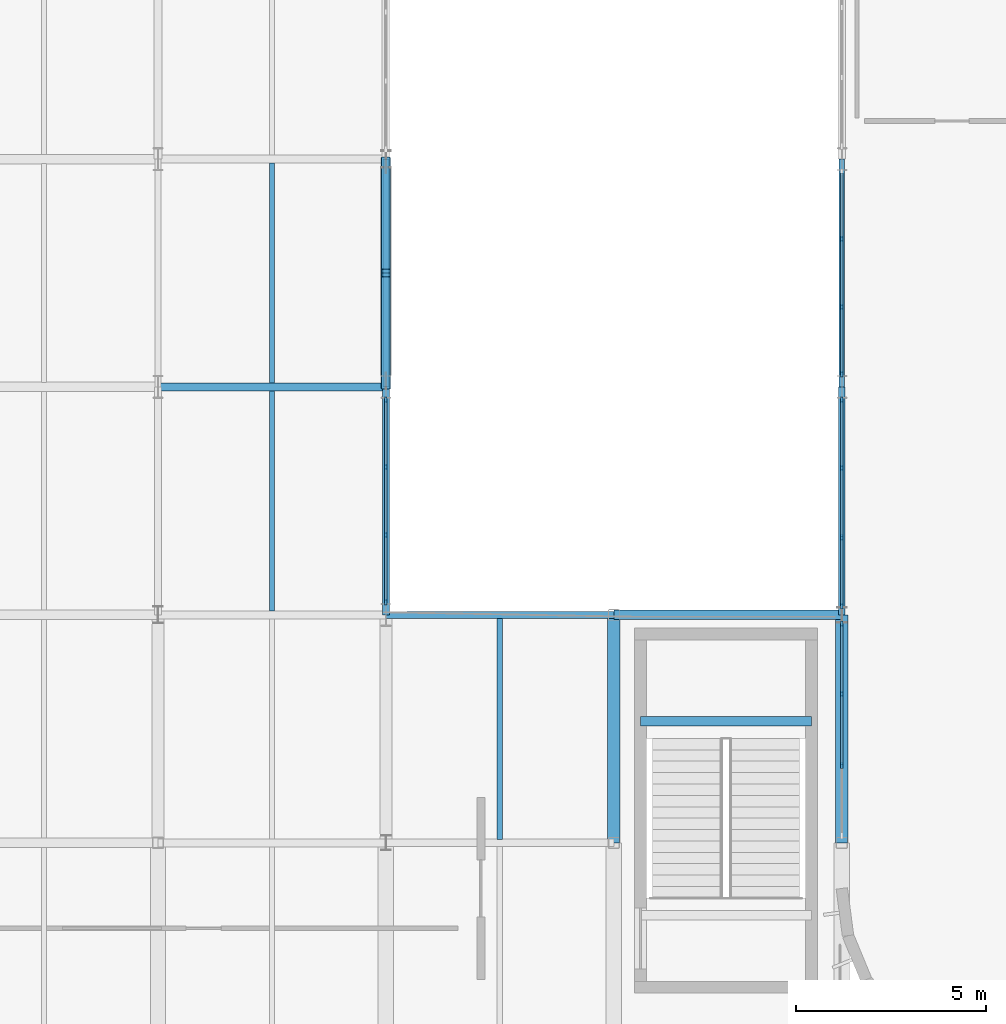
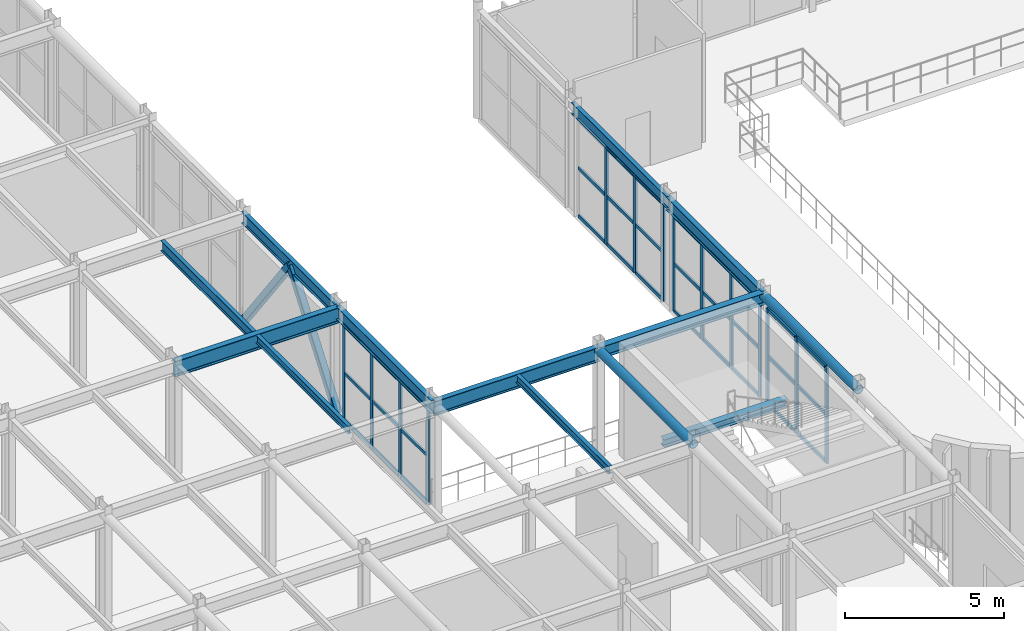
# One storey, part 27 of 96: 48 members, 13 beams, 4 elements without a shape of their own.
"""IFC4 building model written with IfcOpenShell, lengths in metres."""

from ifc_helpers import new_model, si_unit, direction, frame, origin, origin_2d, place, context, subcontext, project, spatial, rectangle, hollow_rectangle, hollow_circle, i_section, extrude, material, material_profile, profile_set, type_object, element, aggregate, save


model = new_model("IFC4")

# Units and contexts
model_context = context("Model", 3, precision=1e-05, world=origin(), true_north=direction((0.0, 1.0)))
body_context = subcontext(model_context, "Body", "Model", "MODEL_VIEW")
ifc_project = project(units=[si_unit("LENGTHUNIT", "METRE"), si_unit("AREAUNIT", "SQUARE_METRE"), si_unit("VOLUMEUNIT", "CUBIC_METRE"), si_unit("PLANEANGLEUNIT", "RADIAN"), si_unit("MASSUNIT", "GRAM", prefix="KILO")], contexts=[model_context])

# Site, building, storey
site_placement = place(None, origin())
site = spatial("IfcSite", under=ifc_project, at=site_placement, CompositionType="ELEMENT")
building_placement = place(site_placement, origin())
building = spatial("IfcBuilding", under=site, at=building_placement, Name="Varnakota Square Police Headquarters", CompositionType="ELEMENT")
storey_placement = place(building_placement, frame((0.0, 0.0, 4.800048828125)))
storey = spatial("IfcBuildingStorey", under=building, at=storey_placement, Name="L01", CompositionType="ELEMENT", Elevation=4.800048828125)

# Beams
ifc_material_1 = material(Name="Steel IS 2062 Grade 350", Category="steel")
ifc_material_profile_1 = material_profile(ifc_material_1, hollow_circle(Radius=0.161865234375, WallThickness=0.0126953125, at=origin_2d()), Name="CHS 323.9x12.7")
ifc_profile_set_1 = profile_set([ifc_material_profile_1], Name="Steel IS 2062 Grade 350")
beam_type_1 = type_object("IfcBeamType", Name="BM-ARC-CHS324", PredefinedType="BEAM", material=ifc_profile_set_1)
for number, where, z_axis, x_axis, name in (
    (1, (48.0, 15.0, 4.0380859375), (0.0, 1.0, 0.0), (-1.0, 0.0, 0.0), "BMG-L01-1629"),
    (2, (54.0, 15.0, 4.0380859375), (0.0, 1.0, 0.0), (-1.0, 0.0, 0.0), "BMG-L01-1635"),
):
    element("IfcBeam", number, at=place(storey_placement, frame(where, z_axis=z_axis, x_axis=x_axis)), inside=storey, type_object=beam_type_1, Name=name, PredefinedType="BEAM", context=body_context, shape_type="SweptSolid", body=[
        extrude(hollow_circle(Radius=0.161865234375, WallThickness=0.0126953125, at=origin_2d()), origin(), (0.0, 0.0, 1.0), 6.0),
    ])
ifc_material_profile_2 = material_profile(ifc_material_1, i_section(OverallWidth=0.25, OverallDepth=0.300048828125, WebThickness=0.009521484375, FlangeThickness=0.010498046875, FilletRadius=0.011962890625, at=origin_2d()), Name="ISHB 300")
ifc_profile_set_2 = profile_set([ifc_material_profile_2], Name="Steel IS 2062 Grade 350")
beam_type_2 = type_object("IfcBeamType", Name="BM-ISHB300", PredefinedType="BEAM", material=ifc_profile_set_2)
beam_1_placement = place(storey_placement, frame((48.699951171875, 18.20068359375, 1.94189453125), z_axis=(1.0, 0.0, 0.0), x_axis=(0.0, 1.0, 0.0)))
element("IfcBeam", 3, at=beam_1_placement, inside=storey, type_object=beam_type_2, Name="Stair landing support beam BM-LND-0105", PredefinedType="BEAM", context=body_context, shape_type="SweptSolid", body=[
    extrude(i_section(OverallWidth=0.25, OverallDepth=0.300048828125, WebThickness=0.009521484375, FlangeThickness=0.010498046875, FilletRadius=0.011962890625, at=origin_2d()), origin(), (0.0, 0.0, 1.0), 4.5),
])
ifc_material_profile_3 = material_profile(ifc_material_1, i_section(OverallWidth=0.25, OverallDepth=0.449951171875, WebThickness=0.01123046875, FlangeThickness=0.013671875, FilletRadius=0.014892578125, at=origin_2d()), Name="ISHB 450")
ifc_profile_set_3 = profile_set([ifc_material_profile_3], Name="Steel IS 2062 Grade 350")
beam_type_3 = type_object("IfcBeamType", Name="BM-ISHB450", PredefinedType="BEAM", material=ifc_profile_set_3)
beam_2_placement = place(storey_placement, frame((48.0, 21.0, 3.974853515625), z_axis=(1.0, 0.0, 0.0), x_axis=(0.0, 1.0, 0.0)))
element("IfcBeam", 4, at=beam_2_placement, inside=storey, type_object=beam_type_3, Name="BMG-L01-1359", PredefinedType="BEAM", context=body_context, shape_type="SweptSolid", body=[
    extrude(i_section(OverallWidth=0.25, OverallDepth=0.449951171875, WebThickness=0.01123046875, FlangeThickness=0.013671875, FilletRadius=0.014892578125, at=origin_2d()), origin(), (0.0, 0.0, 1.0), 6.0),
])
ifc_material_profile_4 = material_profile(ifc_material_1, i_section(OverallWidth=0.139892578125, OverallDepth=0.300048828125, WebThickness=0.0078125, FlangeThickness=0.01318359375, FilletRadius=0.013916015625, at=origin_2d()), Name="ISMB 300")
ifc_profile_set_4 = profile_set([ifc_material_profile_4], Name="Steel IS 2062 Grade 350")
beam_type_4 = type_object("IfcBeamType", Name="BM-ISMB300", PredefinedType="JOIST", material=ifc_profile_set_4)
beam_3_placement = place(storey_placement, frame((39.0, 21.10302734375, 4.050048828125), z_axis=(0.0, 1.0, 0.0), x_axis=(-1.0, 0.0, 0.0)))
element("IfcBeam", 5, at=beam_3_placement, inside=storey, type_object=beam_type_4, Name="BMG-L01-1826", PredefinedType="JOIST", context=body_context, shape_type="SweptSolid", body=[
    extrude(i_section(OverallWidth=0.139892578125, OverallDepth=0.300048828125, WebThickness=0.0078125, FlangeThickness=0.01318359375, FilletRadius=0.013916015625, at=origin_2d()), origin(), (0.0, 0.0, 1.0), 5.7939453125),
])
beam_4_placement = place(storey_placement, frame((45.0, 15.093017578125, 4.050048828125), z_axis=(0.0, 1.0, 0.0), x_axis=(-1.0, 0.0, 0.0)))
element("IfcBeam", 6, at=beam_4_placement, inside=storey, type_object=beam_type_4, Name="BMG-L01-1837", PredefinedType="JOIST", context=body_context, shape_type="SweptSolid", body=[
    extrude(i_section(OverallWidth=0.139892578125, OverallDepth=0.300048828125, WebThickness=0.0078125, FlangeThickness=0.01318359375, FilletRadius=0.013916015625, at=origin_2d()), origin(), (0.0, 0.0, 1.0), 5.81396484375),
])
ifc_material_profile_5 = material_profile(ifc_material_1, i_section(OverallWidth=0.139892578125, OverallDepth=0.39990234375, WebThickness=0.0087890625, FlangeThickness=0.01611328125, FilletRadius=0.013916015625, at=origin_2d()), Name="ISMB 400")
ifc_profile_set_5 = profile_set([ifc_material_profile_5], Name="Steel IS 2062 Grade 350")
beam_type_5 = type_object("IfcBeamType", Name="BM-ISMB400", PredefinedType="JOIST", material=ifc_profile_set_5)
beam_5_placement = place(storey_placement, frame((39.0, 27.10302734375, 4.0), z_axis=(0.0, 1.0, 0.0), x_axis=(-1.0, 0.0, 0.0)))
element("IfcBeam", 7, at=beam_5_placement, inside=storey, type_object=beam_type_5, Name="BMG-L01-1827", PredefinedType="JOIST", context=body_context, shape_type="SweptSolid", body=[
    extrude(i_section(OverallWidth=0.139892578125, OverallDepth=0.39990234375, WebThickness=0.0087890625, FlangeThickness=0.01611328125, FilletRadius=0.013916015625, at=origin_2d()), origin(), (0.0, 0.0, 1.0), 5.7939453125),
])
ifc_material_profile_6 = material_profile(ifc_material_1, i_section(OverallWidth=0.14990234375, OverallDepth=0.449951171875, WebThickness=0.009521484375, FlangeThickness=0.017333984375, FilletRadius=0.014892578125, at=origin_2d()), Name="ISMB 450")
ifc_profile_set_6 = profile_set([ifc_material_profile_6], Name="Steel IS 2062 Grade 350")
beam_type_6 = type_object("IfcBeamType", Name="BM-ISMB450", PredefinedType="BEAM", material=ifc_profile_set_6)
for number, where, z_axis, x_axis, name in (
    (8, (42.0, 27.0, 3.974853515625), (0.0, 1.0, 0.0), (-1.0, 0.0, 0.0), "BMG-L01-1617"),
    (9, (54.0, 27.0, 3.974853515625), (0.0, 1.0, 0.0), (-1.0, 0.0, 0.0), "BMG-L01-1637"),
):
    element("IfcBeam", number, at=place(storey_placement, frame(where, z_axis=z_axis, x_axis=x_axis)), inside=storey, type_object=beam_type_6, Name=name, PredefinedType="BEAM", context=body_context, shape_type="SweptSolid", body=[
        extrude(i_section(OverallWidth=0.14990234375, OverallDepth=0.449951171875, WebThickness=0.009521484375, FlangeThickness=0.017333984375, FilletRadius=0.014892578125, at=origin_2d()), origin(), (0.0, 0.0, 1.0), 6.0),
    ])
ifc_material_profile_7 = material_profile(ifc_material_1, i_section(OverallWidth=0.179931640625, OverallDepth=0.5, WebThickness=0.01025390625, FlangeThickness=0.01708984375, FilletRadius=0.01708984375, at=origin_2d()), Name="ISMB 500")
ifc_profile_set_7 = profile_set([ifc_material_profile_7], Name="Steel IS 2062 Grade 350")
beam_type_7 = type_object("IfcBeamType", Name="BM-ISMB500", PredefinedType="BEAM", material=ifc_profile_set_7)
for number, where, z_axis, x_axis, name in (
    (10, (42.0, 21.0, 3.949951171875), (0.0, 1.0, 0.0), (-1.0, 0.0, 0.0), "BMG-L01-1616"),
    (11, (54.0, 21.0, 3.949951171875), (0.0, 1.0, 0.0), (-1.0, 0.0, 0.0), "BMG-L01-1636"),
):
    element("IfcBeam", number, at=place(storey_placement, frame(where, z_axis=z_axis, x_axis=x_axis)), inside=storey, type_object=beam_type_7, Name=name, PredefinedType="BEAM", context=body_context, shape_type="SweptSolid", body=[
        extrude(i_section(OverallWidth=0.179931640625, OverallDepth=0.5, WebThickness=0.01025390625, FlangeThickness=0.01708984375, FilletRadius=0.01708984375, at=origin_2d()), origin(), (0.0, 0.0, 1.0), 6.0),
    ])
ifc_material_profile_8 = material_profile(ifc_material_1, i_section(OverallWidth=0.18994140625, OverallDepth=0.550048828125, WebThickness=0.01123046875, FlangeThickness=0.019287109375, FilletRadius=0.01806640625, at=origin_2d()), Name="ISMB 550")
ifc_profile_set_8 = profile_set([ifc_material_profile_8], Name="Steel IS 2062 Grade 350")
beam_type_8 = type_object("IfcBeamType", Name="BM-ISMB550", PredefinedType="BEAM", material=ifc_profile_set_8)
beam_6_placement = place(storey_placement, frame((42.0, 21.0, 3.925048828125), z_axis=(1.0, 0.0, 0.0), x_axis=(0.0, 1.0, 0.0)))
element("IfcBeam", 12, at=beam_6_placement, inside=storey, type_object=beam_type_8, Name="BMG-L01-1358", PredefinedType="BEAM", context=body_context, shape_type="SweptSolid", body=[
    extrude(i_section(OverallWidth=0.18994140625, OverallDepth=0.550048828125, WebThickness=0.01123046875, FlangeThickness=0.019287109375, FilletRadius=0.01806640625, at=origin_2d()), origin(), (0.0, 0.0, 1.0), 6.0),
])
ifc_material_profile_9 = material_profile(ifc_material_1, i_section(OverallWidth=0.2099609375, OverallDepth=0.60009765625, WebThickness=0.011962890625, FlangeThickness=0.020751953125, FilletRadius=0.02001953125, at=origin_2d()), Name="ISMB 600")
ifc_profile_set_9 = profile_set([ifc_material_profile_9], Name="Steel IS 2062 Grade 350")
beam_type_9 = type_object("IfcBeamType", Name="BM-ISMB600", PredefinedType="BEAM", material=ifc_profile_set_9)
beam_7_placement = place(storey_placement, frame((36.0, 27.0, 3.89990234375), z_axis=(1.0, 0.0, 0.0), x_axis=(0.0, 1.0, 0.0)))
element("IfcBeam", 13, at=beam_7_placement, inside=storey, type_object=beam_type_9, Name="BMG-L01-1370", PredefinedType="BEAM", context=body_context, shape_type="SweptSolid", body=[
    extrude(i_section(OverallWidth=0.2099609375, OverallDepth=0.60009765625, WebThickness=0.011962890625, FlangeThickness=0.020751953125, FilletRadius=0.02001953125, at=origin_2d()), origin(), (0.0, 0.0, 1.0), 6.0),
])

# Curtain wall, members
ifc_material_2 = material(Name="Anodised Aluminium Framing", Category="aluminium")
curtain_wall_type_1 = type_object("IfcCurtainWallType", Name="CW-SYS-B", PredefinedType="NOTDEFINED", material=ifc_material_2)
curtain_wall_1_placement = place(storey_placement, origin())
curtain_wall_1 = element("IfcCurtainWall", 14, at=curtain_wall_1_placement, inside=storey, type_object=curtain_wall_type_1, Name="Unitised curtain wall CWG-L01-028", PredefinedType="NOTDEFINED")
ifc_material_3 = material(Name="Anodised Aluminium 6063-T6", Category="aluminium")
ifc_material_profile_10 = material_profile(ifc_material_3, rectangle(XDim=0.06494140625, YDim=0.159912109375, at=origin_2d()), Name="ALU MULLION 65x160")
ifc_profile_set_10 = profile_set([ifc_material_profile_10], Name="Anodised Aluminium 6063-T6")
member_type_1 = type_object("IfcMemberType", Name="CWM-150", PredefinedType="MULLION", material=ifc_profile_set_10)
member_1_placement = place(storey_placement, frame((54.0, 17.034912109375, 0.0), z_axis=(0.0, 0.0, 1.0), x_axis=(-1.0, 0.0, 0.0)))
member_1 = element("IfcMember", 15, at=member_1_placement, type_object=member_type_1, Name="CWG-L01-028 mullion 2", PredefinedType="MULLION", context=body_context, shape_type="SweptSolid", body=[
    extrude(rectangle(XDim=0.06494140625, YDim=0.159912109375, at=origin_2d()), origin(), (0.0, 0.0, 1.0), 3.68994140625),
])
member_2_placement = place(storey_placement, frame((54.0, 18.9150390625, 0.0), z_axis=(0.0, 0.0, 1.0), x_axis=(-1.0, 0.0, 0.0)))
member_2 = element("IfcMember", 16, at=member_2_placement, type_object=member_type_1, Name="CWG-L01-028 mullion 3", PredefinedType="MULLION", context=body_context, shape_type="SweptSolid", body=[
    extrude(rectangle(XDim=0.06494140625, YDim=0.159912109375, at=origin_2d()), origin(), (0.0, 0.0, 1.0), 3.68994140625),
])
member_3_placement = place(storey_placement, frame((54.0, 20.762451171875, 0.0), z_axis=(0.0, 0.0, 1.0), x_axis=(-1.0, 0.0, 0.0)))
member_3 = element("IfcMember", 17, at=member_3_placement, type_object=member_type_1, Name="CWG-L01-028 mullion 4", PredefinedType="MULLION", context=body_context, shape_type="SweptSolid", body=[
    extrude(rectangle(XDim=0.06494140625, YDim=0.159912109375, at=origin_2d()), origin(), (0.0, 0.0, 1.0), 3.68994140625),
])

curtain_wall_2_placement = place(storey_placement, origin())
curtain_wall_2 = element("IfcCurtainWall", 18, at=curtain_wall_2_placement, inside=storey, type_object=curtain_wall_type_1, Name="Unitised curtain wall CWG-L01-029", PredefinedType="NOTDEFINED")
member_4_placement = place(storey_placement, frame((54.0, 21.237548828125, 0.0), z_axis=(0.0, 0.0, 1.0), x_axis=(-1.0, 0.0, 0.0)))
member_4 = element("IfcMember", 19, at=member_4_placement, type_object=member_type_1, Name="CWG-L01-029 mullion 1", PredefinedType="MULLION", context=body_context, shape_type="SweptSolid", body=[
    extrude(rectangle(XDim=0.06494140625, YDim=0.159912109375, at=origin_2d()), origin(), (0.0, 0.0, 1.0), 3.68994140625),
])
member_5_placement = place(storey_placement, frame((54.0, 23.034912109375, 0.0), z_axis=(0.0, 0.0, 1.0), x_axis=(-1.0, 0.0, 0.0)))
member_5 = element("IfcMember", 20, at=member_5_placement, type_object=member_type_1, Name="CWG-L01-029 mullion 2", PredefinedType="MULLION", context=body_context, shape_type="SweptSolid", body=[
    extrude(rectangle(XDim=0.06494140625, YDim=0.159912109375, at=origin_2d()), origin(), (0.0, 0.0, 1.0), 3.68994140625),
])
member_6_placement = place(storey_placement, frame((54.0, 24.864990234375, 0.0), z_axis=(0.0, 0.0, 1.0), x_axis=(-1.0, 0.0, 0.0)))
member_6 = element("IfcMember", 21, at=member_6_placement, type_object=member_type_1, Name="CWG-L01-029 mullion 3", PredefinedType="MULLION", context=body_context, shape_type="SweptSolid", body=[
    extrude(rectangle(XDim=0.06494140625, YDim=0.159912109375, at=origin_2d()), origin(), (0.0, 0.0, 1.0), 3.68994140625),
])
member_7_placement = place(storey_placement, frame((54.0, 26.66259765625, 0.0), z_axis=(0.0, 0.0, 1.0), x_axis=(-1.0, 0.0, 0.0)))
member_7 = element("IfcMember", 22, at=member_7_placement, type_object=member_type_1, Name="CWG-L01-029 mullion 4", PredefinedType="MULLION", context=body_context, shape_type="SweptSolid", body=[
    extrude(rectangle(XDim=0.06494140625, YDim=0.159912109375, at=origin_2d()), origin(), (0.0, 0.0, 1.0), 3.68994140625),
])

curtain_wall_3_placement = place(storey_placement, origin())
curtain_wall_3 = element("IfcCurtainWall", 23, at=curtain_wall_3_placement, inside=storey, type_object=curtain_wall_type_1, Name="Unitised curtain wall CWG-L01-031", PredefinedType="NOTDEFINED")
member_8_placement = place(storey_placement, frame((54.0, 27.33740234375, 0.0), z_axis=(0.0, 0.0, 1.0), x_axis=(-1.0, 0.0, 0.0)))
member_8 = element("IfcMember", 24, at=member_8_placement, type_object=member_type_1, Name="CWG-L01-031 mullion 1", PredefinedType="MULLION", context=body_context, shape_type="SweptSolid", body=[
    extrude(rectangle(XDim=0.06494140625, YDim=0.159912109375, at=origin_2d()), origin(), (0.0, 0.0, 1.0), 3.739990234375),
])
member_9_placement = place(storey_placement, frame((54.0, 29.1015625, 0.0), z_axis=(0.0, 0.0, 1.0), x_axis=(-1.0, 0.0, 0.0)))
member_9 = element("IfcMember", 25, at=member_9_placement, type_object=member_type_1, Name="CWG-L01-031 mullion 2", PredefinedType="MULLION", context=body_context, shape_type="SweptSolid", body=[
    extrude(rectangle(XDim=0.06494140625, YDim=0.159912109375, at=origin_2d()), origin(), (0.0, 0.0, 1.0), 3.739990234375),
])
member_10_placement = place(storey_placement, frame((54.0, 30.8984375, 0.0), z_axis=(0.0, 0.0, 1.0), x_axis=(-1.0, 0.0, 0.0)))
member_10 = element("IfcMember", 26, at=member_10_placement, type_object=member_type_1, Name="CWG-L01-031 mullion 3", PredefinedType="MULLION", context=body_context, shape_type="SweptSolid", body=[
    extrude(rectangle(XDim=0.06494140625, YDim=0.159912109375, at=origin_2d()), origin(), (0.0, 0.0, 1.0), 3.739990234375),
])

curtain_wall_type_2 = type_object("IfcCurtainWallType", Name="CW-SYS-D", PredefinedType="NOTDEFINED", material=ifc_material_2)
curtain_wall_4_placement = place(storey_placement, origin())
curtain_wall_4 = element("IfcCurtainWall", 27, at=curtain_wall_4_placement, inside=storey, type_object=curtain_wall_type_2, Name="Unitised curtain wall CWG-L01-140", PredefinedType="NOTDEFINED")
member_11_placement = place(storey_placement, frame((42.0, 21.33740234375, 0.0), z_axis=(0.0, 0.0, 1.0), x_axis=(-1.0, 0.0, 0.0)))
member_11 = element("IfcMember", 28, at=member_11_placement, type_object=member_type_1, Name="CWG-L01-140 mullion 1", PredefinedType="MULLION", context=body_context, shape_type="SweptSolid", body=[
    extrude(rectangle(XDim=0.06494140625, YDim=0.159912109375, at=origin_2d()), origin(), (0.0, 0.0, 1.0), 3.68994140625),
])
member_12_placement = place(storey_placement, frame((42.0, 23.1015625, 0.0), z_axis=(0.0, 0.0, 1.0), x_axis=(-1.0, 0.0, 0.0)))
member_12 = element("IfcMember", 29, at=member_12_placement, type_object=member_type_1, Name="CWG-L01-140 mullion 2", PredefinedType="MULLION", context=body_context, shape_type="SweptSolid", body=[
    extrude(rectangle(XDim=0.06494140625, YDim=0.159912109375, at=origin_2d()), origin(), (0.0, 0.0, 1.0), 3.68994140625),
])
member_13_placement = place(storey_placement, frame((42.0, 24.8984375, 0.0), z_axis=(0.0, 0.0, 1.0), x_axis=(-1.0, 0.0, 0.0)))
member_13 = element("IfcMember", 30, at=member_13_placement, type_object=member_type_1, Name="CWG-L01-140 mullion 3", PredefinedType="MULLION", context=body_context, shape_type="SweptSolid", body=[
    extrude(rectangle(XDim=0.06494140625, YDim=0.159912109375, at=origin_2d()), origin(), (0.0, 0.0, 1.0), 3.68994140625),
])
member_14_placement = place(storey_placement, frame((42.0, 26.66259765625, 0.0), z_axis=(0.0, 0.0, 1.0), x_axis=(-1.0, 0.0, 0.0)))
member_14 = element("IfcMember", 31, at=member_14_placement, type_object=member_type_1, Name="CWG-L01-140 mullion 4", PredefinedType="MULLION", context=body_context, shape_type="SweptSolid", body=[
    extrude(rectangle(XDim=0.06494140625, YDim=0.159912109375, at=origin_2d()), origin(), (0.0, 0.0, 1.0), 3.68994140625),
])

# Member
ifc_material_profile_11 = material_profile(ifc_material_3, rectangle(XDim=0.06494140625, YDim=0.1298828125, at=origin_2d()), Name="ALU TRANSOM 65x130")
ifc_profile_set_11 = profile_set([ifc_material_profile_11], Name="Anodised Aluminium 6063-T6")
member_type_2 = type_object("IfcMemberType", Name="CWT-120", PredefinedType="USERDEFINED", material=ifc_profile_set_11)
member_15_placement = place(storey_placement, frame((54.0, 17.0673828125, 0.032470703125), z_axis=(0.0, 1.0, 0.0), x_axis=(-1.0, 0.0, 0.0)))
member_15 = element("IfcMember", 32, at=member_15_placement, type_object=member_type_2, Name="CWG-L01-028 transom 2.1", ObjectType="TRANSOM", PredefinedType="USERDEFINED", context=body_context, shape_type="SweptSolid", body=[
    extrude(rectangle(XDim=0.06494140625, YDim=0.1298828125, at=origin_2d()), origin(), (0.0, 0.0, 1.0), 1.815185546875),
])

member_16_placement = place(storey_placement, frame((54.0, 17.0673828125, 1.844970703125), z_axis=(0.0, 1.0, 0.0), x_axis=(-1.0, 0.0, 0.0)))
member_16 = element("IfcMember", 33, at=member_16_placement, type_object=member_type_2, Name="CWG-L01-028 transom 2.2", ObjectType="TRANSOM", PredefinedType="USERDEFINED", context=body_context, shape_type="SweptSolid", body=[
    extrude(rectangle(XDim=0.06494140625, YDim=0.1298828125, at=origin_2d()), origin(), (0.0, 0.0, 1.0), 1.815185546875),
])

member_17_placement = place(storey_placement, frame((54.0, 17.0673828125, 3.657470703125), z_axis=(0.0, 1.0, 0.0), x_axis=(-1.0, 0.0, 0.0)))
member_17 = element("IfcMember", 34, at=member_17_placement, type_object=member_type_2, Name="CWG-L01-028 transom 2.3", ObjectType="TRANSOM", PredefinedType="USERDEFINED", context=body_context, shape_type="SweptSolid", body=[
    extrude(rectangle(XDim=0.06494140625, YDim=0.1298828125, at=origin_2d()), origin(), (0.0, 0.0, 1.0), 1.815185546875),
])

member_18_placement = place(storey_placement, frame((54.0, 18.947509765625, 0.032470703125), z_axis=(0.0, 1.0, 0.0), x_axis=(-1.0, 0.0, 0.0)))
member_18 = element("IfcMember", 35, at=member_18_placement, type_object=member_type_2, Name="CWG-L01-028 transom 3.1", ObjectType="TRANSOM", PredefinedType="USERDEFINED", context=body_context, shape_type="SweptSolid", body=[
    extrude(rectangle(XDim=0.06494140625, YDim=0.1298828125, at=origin_2d()), origin(), (0.0, 0.0, 1.0), 1.782470703125),
])

member_19_placement = place(storey_placement, frame((54.0, 18.947509765625, 1.844970703125), z_axis=(0.0, 1.0, 0.0), x_axis=(-1.0, 0.0, 0.0)))
member_19 = element("IfcMember", 36, at=member_19_placement, type_object=member_type_2, Name="CWG-L01-028 transom 3.2", ObjectType="TRANSOM", PredefinedType="USERDEFINED", context=body_context, shape_type="SweptSolid", body=[
    extrude(rectangle(XDim=0.06494140625, YDim=0.1298828125, at=origin_2d()), origin(), (0.0, 0.0, 1.0), 1.782470703125),
])

member_20_placement = place(storey_placement, frame((54.0, 18.947509765625, 3.657470703125), z_axis=(0.0, 1.0, 0.0), x_axis=(-1.0, 0.0, 0.0)))
member_20 = element("IfcMember", 37, at=member_20_placement, type_object=member_type_2, Name="CWG-L01-028 transom 3.3", ObjectType="TRANSOM", PredefinedType="USERDEFINED", context=body_context, shape_type="SweptSolid", body=[
    extrude(rectangle(XDim=0.06494140625, YDim=0.1298828125, at=origin_2d()), origin(), (0.0, 0.0, 1.0), 1.782470703125),
])

aggregate(curtain_wall_1, [member_1, member_2, member_3, member_15, member_16, member_17, member_18, member_19, member_20])

member_21_placement = place(storey_placement, frame((54.0, 21.27001953125, 0.032470703125), z_axis=(0.0, 1.0, 0.0), x_axis=(-1.0, 0.0, 0.0)))
member_21 = element("IfcMember", 38, at=member_21_placement, type_object=member_type_2, Name="CWG-L01-029 transom 1.1", ObjectType="TRANSOM", PredefinedType="USERDEFINED", context=body_context, shape_type="SweptSolid", body=[
    extrude(rectangle(XDim=0.06494140625, YDim=0.1298828125, at=origin_2d()), origin(), (0.0, 0.0, 1.0), 1.732421875),
])

member_22_placement = place(storey_placement, frame((54.0, 21.27001953125, 1.844970703125), z_axis=(0.0, 1.0, 0.0), x_axis=(-1.0, 0.0, 0.0)))
member_22 = element("IfcMember", 39, at=member_22_placement, type_object=member_type_2, Name="CWG-L01-029 transom 1.2", ObjectType="TRANSOM", PredefinedType="USERDEFINED", context=body_context, shape_type="SweptSolid", body=[
    extrude(rectangle(XDim=0.06494140625, YDim=0.1298828125, at=origin_2d()), origin(), (0.0, 0.0, 1.0), 1.732421875),
])

member_23_placement = place(storey_placement, frame((54.0, 21.27001953125, 3.657470703125), z_axis=(0.0, 1.0, 0.0), x_axis=(-1.0, 0.0, 0.0)))
member_23 = element("IfcMember", 40, at=member_23_placement, type_object=member_type_2, Name="CWG-L01-029 transom 1.3", ObjectType="TRANSOM", PredefinedType="USERDEFINED", context=body_context, shape_type="SweptSolid", body=[
    extrude(rectangle(XDim=0.06494140625, YDim=0.1298828125, at=origin_2d()), origin(), (0.0, 0.0, 1.0), 1.732421875),
])

member_24_placement = place(storey_placement, frame((54.0, 23.0673828125, 0.032470703125), z_axis=(0.0, 1.0, 0.0), x_axis=(-1.0, 0.0, 0.0)))
member_24 = element("IfcMember", 41, at=member_24_placement, type_object=member_type_2, Name="CWG-L01-029 transom 2.1", ObjectType="TRANSOM", PredefinedType="USERDEFINED", context=body_context, shape_type="SweptSolid", body=[
    extrude(rectangle(XDim=0.06494140625, YDim=0.1298828125, at=origin_2d()), origin(), (0.0, 0.0, 1.0), 1.76513671875),
])

member_25_placement = place(storey_placement, frame((54.0, 23.0673828125, 1.844970703125), z_axis=(0.0, 1.0, 0.0), x_axis=(-1.0, 0.0, 0.0)))
member_25 = element("IfcMember", 42, at=member_25_placement, type_object=member_type_2, Name="CWG-L01-029 transom 2.2", ObjectType="TRANSOM", PredefinedType="USERDEFINED", context=body_context, shape_type="SweptSolid", body=[
    extrude(rectangle(XDim=0.06494140625, YDim=0.1298828125, at=origin_2d()), origin(), (0.0, 0.0, 1.0), 1.76513671875),
])

member_26_placement = place(storey_placement, frame((54.0, 23.0673828125, 3.657470703125), z_axis=(0.0, 1.0, 0.0), x_axis=(-1.0, 0.0, 0.0)))
member_26 = element("IfcMember", 43, at=member_26_placement, type_object=member_type_2, Name="CWG-L01-029 transom 2.3", ObjectType="TRANSOM", PredefinedType="USERDEFINED", context=body_context, shape_type="SweptSolid", body=[
    extrude(rectangle(XDim=0.06494140625, YDim=0.1298828125, at=origin_2d()), origin(), (0.0, 0.0, 1.0), 1.76513671875),
])

member_27_placement = place(storey_placement, frame((54.0, 24.8974609375, 0.032470703125), z_axis=(0.0, 1.0, 0.0), x_axis=(-1.0, 0.0, 0.0)))
member_27 = element("IfcMember", 44, at=member_27_placement, type_object=member_type_2, Name="CWG-L01-029 transom 3.1", ObjectType="TRANSOM", PredefinedType="USERDEFINED", context=body_context, shape_type="SweptSolid", body=[
    extrude(rectangle(XDim=0.06494140625, YDim=0.1298828125, at=origin_2d()), origin(), (0.0, 0.0, 1.0), 1.732421875),
])

member_28_placement = place(storey_placement, frame((54.0, 24.8974609375, 1.844970703125), z_axis=(0.0, 1.0, 0.0), x_axis=(-1.0, 0.0, 0.0)))
member_28 = element("IfcMember", 45, at=member_28_placement, type_object=member_type_2, Name="CWG-L01-029 transom 3.2", ObjectType="TRANSOM", PredefinedType="USERDEFINED", context=body_context, shape_type="SweptSolid", body=[
    extrude(rectangle(XDim=0.06494140625, YDim=0.1298828125, at=origin_2d()), origin(), (0.0, 0.0, 1.0), 1.732421875),
])

member_29_placement = place(storey_placement, frame((54.0, 24.8974609375, 3.657470703125), z_axis=(0.0, 1.0, 0.0), x_axis=(-1.0, 0.0, 0.0)))
member_29 = element("IfcMember", 46, at=member_29_placement, type_object=member_type_2, Name="CWG-L01-029 transom 3.3", ObjectType="TRANSOM", PredefinedType="USERDEFINED", context=body_context, shape_type="SweptSolid", body=[
    extrude(rectangle(XDim=0.06494140625, YDim=0.1298828125, at=origin_2d()), origin(), (0.0, 0.0, 1.0), 1.732421875),
])

aggregate(curtain_wall_2, [member_4, member_5, member_6, member_7, member_21, member_22, member_23, member_24, member_25, member_26, member_27, member_28, member_29])

member_30_placement = place(storey_placement, frame((54.0, 27.3701171875, 0.032470703125), z_axis=(0.0, 1.0, 0.0), x_axis=(-1.0, 0.0, 0.0)))
member_30 = element("IfcMember", 47, at=member_30_placement, type_object=member_type_2, Name="CWG-L01-031 transom 1.1", ObjectType="TRANSOM", PredefinedType="USERDEFINED", context=body_context, shape_type="SweptSolid", body=[
    extrude(rectangle(XDim=0.06494140625, YDim=0.1298828125, at=origin_2d()), origin(), (0.0, 0.0, 1.0), 1.698974609375),
])

member_31_placement = place(storey_placement, frame((54.0, 27.3701171875, 1.869873046875), z_axis=(0.0, 1.0, 0.0), x_axis=(-1.0, 0.0, 0.0)))
member_31 = element("IfcMember", 48, at=member_31_placement, type_object=member_type_2, Name="CWG-L01-031 transom 1.2", ObjectType="TRANSOM", PredefinedType="USERDEFINED", context=body_context, shape_type="SweptSolid", body=[
    extrude(rectangle(XDim=0.06494140625, YDim=0.1298828125, at=origin_2d()), origin(), (0.0, 0.0, 1.0), 1.698974609375),
])

member_32_placement = place(storey_placement, frame((54.0, 27.3701171875, 3.70751953125), z_axis=(0.0, 1.0, 0.0), x_axis=(-1.0, 0.0, 0.0)))
member_32 = element("IfcMember", 49, at=member_32_placement, type_object=member_type_2, Name="CWG-L01-031 transom 1.3", ObjectType="TRANSOM", PredefinedType="USERDEFINED", context=body_context, shape_type="SweptSolid", body=[
    extrude(rectangle(XDim=0.06494140625, YDim=0.1298828125, at=origin_2d()), origin(), (0.0, 0.0, 1.0), 1.698974609375),
])

member_33_placement = place(storey_placement, frame((54.0, 29.13427734375, 0.032470703125), z_axis=(0.0, 1.0, 0.0), x_axis=(-1.0, 0.0, 0.0)))
member_33 = element("IfcMember", 50, at=member_33_placement, type_object=member_type_2, Name="CWG-L01-031 transom 2.1", ObjectType="TRANSOM", PredefinedType="USERDEFINED", context=body_context, shape_type="SweptSolid", body=[
    extrude(rectangle(XDim=0.06494140625, YDim=0.1298828125, at=origin_2d()), origin(), (0.0, 0.0, 1.0), 1.7314453125),
])

member_34_placement = place(storey_placement, frame((54.0, 29.13427734375, 1.869873046875), z_axis=(0.0, 1.0, 0.0), x_axis=(-1.0, 0.0, 0.0)))
member_34 = element("IfcMember", 51, at=member_34_placement, type_object=member_type_2, Name="CWG-L01-031 transom 2.2", ObjectType="TRANSOM", PredefinedType="USERDEFINED", context=body_context, shape_type="SweptSolid", body=[
    extrude(rectangle(XDim=0.06494140625, YDim=0.1298828125, at=origin_2d()), origin(), (0.0, 0.0, 1.0), 1.7314453125),
])

member_35_placement = place(storey_placement, frame((54.0, 29.13427734375, 3.70751953125), z_axis=(0.0, 1.0, 0.0), x_axis=(-1.0, 0.0, 0.0)))
member_35 = element("IfcMember", 52, at=member_35_placement, type_object=member_type_2, Name="CWG-L01-031 transom 2.3", ObjectType="TRANSOM", PredefinedType="USERDEFINED", context=body_context, shape_type="SweptSolid", body=[
    extrude(rectangle(XDim=0.06494140625, YDim=0.1298828125, at=origin_2d()), origin(), (0.0, 0.0, 1.0), 1.7314453125),
])

member_36_placement = place(storey_placement, frame((54.0, 30.930908203125, 0.032470703125), z_axis=(0.0, 1.0, 0.0), x_axis=(-1.0, 0.0, 0.0)))
member_36 = element("IfcMember", 53, at=member_36_placement, type_object=member_type_2, Name="CWG-L01-031 transom 3.1", ObjectType="TRANSOM", PredefinedType="USERDEFINED", context=body_context, shape_type="SweptSolid", body=[
    extrude(rectangle(XDim=0.06494140625, YDim=0.1298828125, at=origin_2d()), origin(), (0.0, 0.0, 1.0), 1.698974609375),
])

member_37_placement = place(storey_placement, frame((54.0, 30.930908203125, 1.869873046875), z_axis=(0.0, 1.0, 0.0), x_axis=(-1.0, 0.0, 0.0)))
member_37 = element("IfcMember", 54, at=member_37_placement, type_object=member_type_2, Name="CWG-L01-031 transom 3.2", ObjectType="TRANSOM", PredefinedType="USERDEFINED", context=body_context, shape_type="SweptSolid", body=[
    extrude(rectangle(XDim=0.06494140625, YDim=0.1298828125, at=origin_2d()), origin(), (0.0, 0.0, 1.0), 1.698974609375),
])

aggregate(curtain_wall_3, [member_8, member_9, member_10, member_30, member_31, member_32, member_33, member_34, member_35, member_36, member_37])

member_38_placement = place(storey_placement, frame((42.0, 21.3701171875, 0.032470703125), z_axis=(0.0, 1.0, 0.0), x_axis=(-1.0, 0.0, 0.0)))
member_38 = element("IfcMember", 55, at=member_38_placement, type_object=member_type_2, Name="CWG-L01-140 transom 1.1", ObjectType="TRANSOM", PredefinedType="USERDEFINED", context=body_context, shape_type="SweptSolid", body=[
    extrude(rectangle(XDim=0.06494140625, YDim=0.1298828125, at=origin_2d()), origin(), (0.0, 0.0, 1.0), 1.698974609375),
])

member_39_placement = place(storey_placement, frame((42.0, 21.3701171875, 1.844970703125), z_axis=(0.0, 1.0, 0.0), x_axis=(-1.0, 0.0, 0.0)))
member_39 = element("IfcMember", 56, at=member_39_placement, type_object=member_type_2, Name="CWG-L01-140 transom 1.2", ObjectType="TRANSOM", PredefinedType="USERDEFINED", context=body_context, shape_type="SweptSolid", body=[
    extrude(rectangle(XDim=0.06494140625, YDim=0.1298828125, at=origin_2d()), origin(), (0.0, 0.0, 1.0), 1.698974609375),
])

member_40_placement = place(storey_placement, frame((42.0, 21.3701171875, 3.657470703125), z_axis=(0.0, 1.0, 0.0), x_axis=(-1.0, 0.0, 0.0)))
member_40 = element("IfcMember", 57, at=member_40_placement, type_object=member_type_2, Name="CWG-L01-140 transom 1.3", ObjectType="TRANSOM", PredefinedType="USERDEFINED", context=body_context, shape_type="SweptSolid", body=[
    extrude(rectangle(XDim=0.06494140625, YDim=0.1298828125, at=origin_2d()), origin(), (0.0, 0.0, 1.0), 1.698974609375),
])

member_41_placement = place(storey_placement, frame((42.0, 23.13427734375, 0.032470703125), z_axis=(0.0, 1.0, 0.0), x_axis=(-1.0, 0.0, 0.0)))
member_41 = element("IfcMember", 58, at=member_41_placement, type_object=member_type_2, Name="CWG-L01-140 transom 2.1", ObjectType="TRANSOM", PredefinedType="USERDEFINED", context=body_context, shape_type="SweptSolid", body=[
    extrude(rectangle(XDim=0.06494140625, YDim=0.1298828125, at=origin_2d()), origin(), (0.0, 0.0, 1.0), 1.7314453125),
])

member_42_placement = place(storey_placement, frame((42.0, 23.13427734375, 1.844970703125), z_axis=(0.0, 1.0, 0.0), x_axis=(-1.0, 0.0, 0.0)))
member_42 = element("IfcMember", 59, at=member_42_placement, type_object=member_type_2, Name="CWG-L01-140 transom 2.2", ObjectType="TRANSOM", PredefinedType="USERDEFINED", context=body_context, shape_type="SweptSolid", body=[
    extrude(rectangle(XDim=0.06494140625, YDim=0.1298828125, at=origin_2d()), origin(), (0.0, 0.0, 1.0), 1.7314453125),
])

member_43_placement = place(storey_placement, frame((42.0, 23.13427734375, 3.657470703125), z_axis=(0.0, 1.0, 0.0), x_axis=(-1.0, 0.0, 0.0)))
member_43 = element("IfcMember", 60, at=member_43_placement, type_object=member_type_2, Name="CWG-L01-140 transom 2.3", ObjectType="TRANSOM", PredefinedType="USERDEFINED", context=body_context, shape_type="SweptSolid", body=[
    extrude(rectangle(XDim=0.06494140625, YDim=0.1298828125, at=origin_2d()), origin(), (0.0, 0.0, 1.0), 1.7314453125),
])

member_44_placement = place(storey_placement, frame((42.0, 24.930908203125, 0.032470703125), z_axis=(0.0, 1.0, 0.0), x_axis=(-1.0, 0.0, 0.0)))
member_44 = element("IfcMember", 61, at=member_44_placement, type_object=member_type_2, Name="CWG-L01-140 transom 3.1", ObjectType="TRANSOM", PredefinedType="USERDEFINED", context=body_context, shape_type="SweptSolid", body=[
    extrude(rectangle(XDim=0.06494140625, YDim=0.1298828125, at=origin_2d()), origin(), (0.0, 0.0, 1.0), 1.698974609375),
])

member_45_placement = place(storey_placement, frame((42.0, 24.930908203125, 1.844970703125), z_axis=(0.0, 1.0, 0.0), x_axis=(-1.0, 0.0, 0.0)))
member_45 = element("IfcMember", 62, at=member_45_placement, type_object=member_type_2, Name="CWG-L01-140 transom 3.2", ObjectType="TRANSOM", PredefinedType="USERDEFINED", context=body_context, shape_type="SweptSolid", body=[
    extrude(rectangle(XDim=0.06494140625, YDim=0.1298828125, at=origin_2d()), origin(), (0.0, 0.0, 1.0), 1.698974609375),
])

member_46_placement = place(storey_placement, frame((42.0, 24.930908203125, 3.657470703125), z_axis=(0.0, 1.0, 0.0), x_axis=(-1.0, 0.0, 0.0)))
member_46 = element("IfcMember", 63, at=member_46_placement, type_object=member_type_2, Name="CWG-L01-140 transom 3.3", ObjectType="TRANSOM", PredefinedType="USERDEFINED", context=body_context, shape_type="SweptSolid", body=[
    extrude(rectangle(XDim=0.06494140625, YDim=0.1298828125, at=origin_2d()), origin(), (0.0, 0.0, 1.0), 1.698974609375),
])

aggregate(curtain_wall_4, [member_11, member_12, member_13, member_14, member_38, member_39, member_40, member_41, member_42, member_43, member_44, member_45, member_46])

# Members
ifc_material_profile_12 = material_profile(ifc_material_1, hollow_rectangle(XDim=0.25, YDim=0.25, WallThickness=0.011962890625, InnerFilletRadius=0.011962890625, OuterFilletRadius=0.02392578125, at=origin_2d()), Name="SHS 250x250x12")
ifc_profile_set_12 = profile_set([ifc_material_profile_12], Name="Steel IS 2062 Grade 350")
member_type_3 = type_object("IfcMemberType", Name="MEM-BR-SHS250", PredefinedType="BRACE", material=ifc_profile_set_12)
for number, where, z_axis, x_axis, name in (
    (64, (42.0, 27.050048828125, 0.02001953125), (0.0, 0.600325874044, 0.79975549073), (-1.0, 0.0, 0.0), "Lateral brace BF3 L01 left"),
    (65, (42.0, 32.949951171875, 0.02001953125), (0.0, -0.600325874044, 0.79975549073), (1.0, 0.0, 0.0), "Lateral brace BF3 L01 right"),
):
    element("IfcMember", number, at=place(storey_placement, frame(where, z_axis=z_axis, x_axis=x_axis)), inside=storey, type_object=member_type_3, Name=name, PredefinedType="BRACE", context=body_context, shape_type="SweptSolid", body=[
        extrude(hollow_rectangle(XDim=0.25, YDim=0.25, WallThickness=0.011962890625, InnerFilletRadius=0.011962890625, OuterFilletRadius=0.02392578125, at=origin_2d()), origin(), (0.0, 0.0, 1.0), 4.913818359375),
    ])

save(model, "model.ifc")
